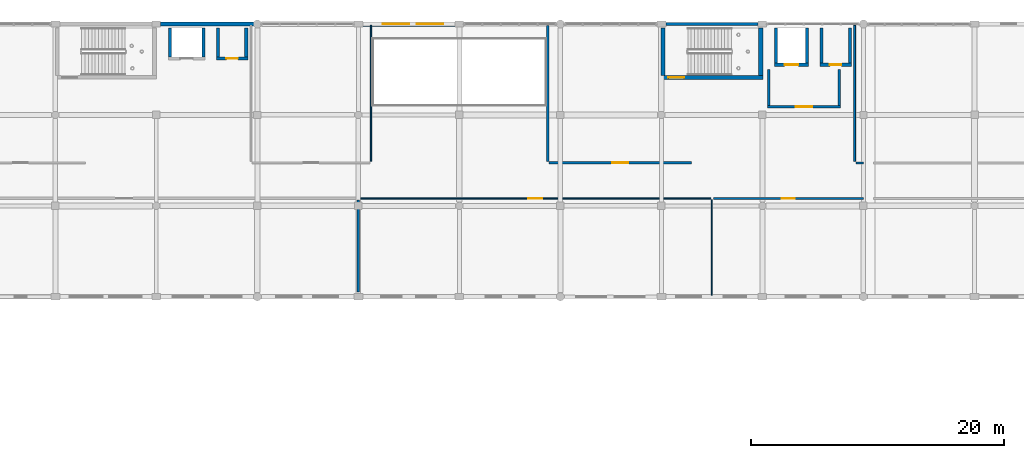
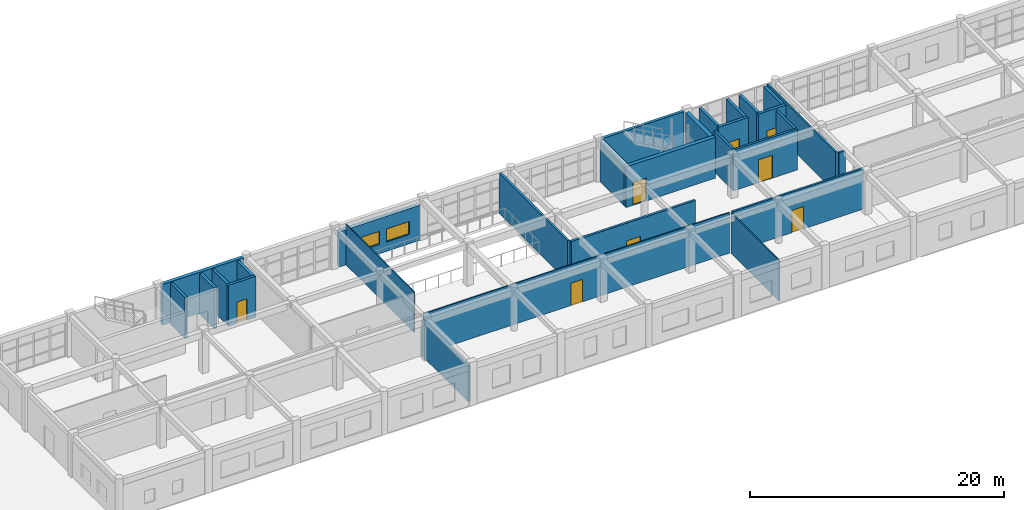
# One storey, part 43 of 53: 29 walls, 8 doors, 2 windows, 10 openings.
"""IFC4 building model written with IfcOpenShell, lengths in metres."""

from ifc_helpers import new_model, si_unit, direction, frame, frame_2d, origin, place, context, subcontext, project, spatial, rectangle, extrude, material, layer, layer_set, type_object, element, fill, save


model = new_model("IFC4")

# Units and contexts
model_context = context("Model", 3, precision=1e-05, world=origin(), true_north=direction((0.0, 1.0)))
body_context = subcontext(model_context, "Body", "Model", "MODEL_VIEW")
ifc_project = project(units=[si_unit("LENGTHUNIT", "METRE"), si_unit("AREAUNIT", "SQUARE_METRE"), si_unit("VOLUMEUNIT", "CUBIC_METRE"), si_unit("PLANEANGLEUNIT", "RADIAN"), si_unit("MASSUNIT", "GRAM", prefix="KILO")], contexts=[model_context])

# Site, building, storey
site_placement = place(None, origin())
site = spatial("IfcSite", under=ifc_project, at=site_placement, CompositionType="ELEMENT")
building_placement = place(site_placement, origin())
building = spatial("IfcBuilding", under=site, at=building_placement, Name="Kharva Crest Polytechnic", CompositionType="ELEMENT")
storey_placement = place(building_placement, frame((0.0, 0.0, 17.39990234375)))
storey = spatial("IfcBuildingStorey", under=building, at=storey_placement, Name="L04", CompositionType="ELEMENT", Elevation=17.39990234375)

# Wall, opening, door
ifc_material_1 = material(Name="Concrete C40/50", Category="concrete")
ifc_layer_1 = layer(ifc_material_1, 0.35009765625, Name="Concrete C40/50")
ifc_layer_set_1 = layer_set([ifc_layer_1], Name="Concrete C40/50")
wall_type_1 = type_object("IfcWallType", Name="WL-CORE-CW1-350", PredefinedType="SHEAR", material=ifc_layer_set_1)
wall_1_placement = place(storey_placement, frame((103.949951171875, 117.764892578125, 0.0), z_axis=(0.0, 0.0, 1.0), x_axis=(1.0, 0.0, 0.0)))
wall_1 = element("IfcWall", 1, at=wall_1_placement, inside=storey, type_object=wall_type_1, Name="L04 North Crest Firefighting Core C4 South Shear Wall", PredefinedType="SHEAR", context=body_context, shape_type="SweptSolid", body=[
    extrude(rectangle(XDim=8.10009765625, YDim=0.35009765625, at=frame_2d((4.050048828125, 0.0))), origin(), (0.0, 0.0, 1.0), 3.920166015625),
])
opening_1_placement = place(wall_1_placement, frame((0.60009765625, 0.0, 0.0)))
opening_1 = element("IfcOpeningElement", 2, at=opening_1_placement, cuts=wall_1, Name="Opening FD1B", PredefinedType="OPENING", context=body_context, shape_type="SweptSolid", body=[
    extrude(rectangle(XDim=1.25, YDim=2.199951171875, at=frame_2d((0.625, 1.10009765625))), frame((0.0, 0.18505859375, 0.0), z_axis=(0.0, -1.0, 0.0), x_axis=(1.0, 0.0, 0.0)), (0.0, 0.0, 1.0), 0.3701171875),
])
ifc_material_2 = material(Name="Teak timber", Category="wood")
door_type_1 = type_object("IfcDoorType", Name="DR-STAIR-1250X2200", OperationType="NOTDEFINED", PredefinedType="DOOR", material=ifc_material_2)
door_1_placement = place(opening_1_placement, origin())
door_1 = element("IfcDoor", 3, at=door_1_placement, inside=storey, type_object=door_type_1, Name="L04 ST-04 Stair Door", OperationType="SINGLE_SWING_LEFT", OverallHeight=2.199951171875, OverallWidth=1.25, PredefinedType="DOOR", context=body_context, shape_type="SweptSolid", body=[
    extrude(rectangle(XDim=1.25, YDim=2.199951171875, at=frame_2d((0.625, 1.10009765625))), frame((0.0, 0.02490234375, 0.0), z_axis=(0.0, -1.0, 0.0), x_axis=(1.0, 0.0, 0.0)), (0.0, 0.0, 1.0), 0.050048828125),
])
fill(opening_1, door_1)

# Walls
for number, where, z_axis, x_axis, name in (
    (4, (104.125, 117.93994140625, 0.0), (0.0, 0.0, 1.0), (0.0, 1.0, 0.0), "L04 North Crest Firefighting Core C4 West Shear Wall"),
    (5, (111.875, 117.93994140625, 0.0), (0.0, 0.0, 1.0), (0.0, 1.0, 0.0), "L04 North Crest Firefighting Core C4 East Shear Wall"),
):
    element("IfcWall", number, at=place(storey_placement, frame(where, z_axis=z_axis, x_axis=x_axis)), inside=storey, type_object=wall_type_1, Name=name, PredefinedType="SHEAR", context=body_context, shape_type="SweptSolid", body=[
        extrude(rectangle(XDim=3.760009765625, YDim=0.35009765625, at=frame_2d((1.8798828125, 0.0))), origin(), (0.0, 0.0, 1.0), 3.920166015625),
    ])
ifc_material_3 = material(Name="Kiln brick masonry", Category="masonry")
ifc_layer_2 = layer(ifc_material_3, 0.260009765625, Name="Kiln brick masonry")
ifc_layer_set_2 = layer_set([ifc_layer_2], Name="Kiln brick masonry")
wall_type_2 = type_object("IfcWallType", Name="WL-EXT-BRK-260", PredefinedType="SOLIDWALL", material=ifc_layer_set_2)
wall_2_placement = place(storey_placement, frame((111.6650390625, 122.0, 0.0), z_axis=(0.0, 0.0, 1.0), x_axis=(-1.0, 0.0, 0.0)))
element("IfcWall", 6, at=wall_2_placement, inside=storey, type_object=wall_type_2, Name="L04 Exterior Brick Wall 387", PredefinedType="SOLIDWALL", context=body_context, shape_type="SweptSolid", body=[
    extrude(rectangle(XDim=7.320068359375, YDim=0.260009765625, at=frame_2d((3.66015625, 0.0))), origin(), (0.0, 0.0, 1.0), 3.920166015625),
])
ifc_layer_3 = layer(ifc_material_3, 0.320068359375, Name="Kiln brick masonry")
ifc_layer_set_3 = layer_set([ifc_layer_3], Name="Kiln brick masonry")
wall_type_3 = type_object("IfcWallType", Name="WL-EXT-BRK-320", PredefinedType="SOLIDWALL", material=ifc_layer_set_3)
wall_3_placement = place(storey_placement, frame((71.731201171875, 122.0, 0.0), z_axis=(0.0, 0.0, 1.0), x_axis=(-1.0, 0.0, 0.0)))
element("IfcWall", 7, at=wall_3_placement, inside=storey, type_object=wall_type_3, Name="L04 Exterior Brick Wall 389", PredefinedType="SOLIDWALL", context=body_context, shape_type="SweptSolid", body=[
    extrude(rectangle(XDim=7.396240234375, YDim=0.320068359375, at=frame_2d((3.6982421875, 0.0))), origin(), (0.0, 0.0, 1.0), 3.920166015625),
])

# Wall, openings, windows
ifc_layer_4 = layer(ifc_material_3, 0.35009765625, Name="Kiln brick masonry")
ifc_layer_set_4 = layer_set([ifc_layer_4], Name="Kiln brick masonry")
wall_type_4 = type_object("IfcWallType", Name="WL-EXT-BRK-350", PredefinedType="SOLIDWALL", material=ifc_layer_set_4)
wall_4_placement = place(storey_placement, frame((87.6650390625, 122.0, 0.0), z_axis=(0.0, 0.0, 1.0), x_axis=(-1.0, 0.0, 0.0)))
wall_4 = element("IfcWall", 8, at=wall_4_placement, inside=storey, type_object=wall_type_4, Name="L04 Exterior Brick Wall 388", PredefinedType="SOLIDWALL", context=body_context, shape_type="SweptSolid", body=[
    extrude(rectangle(XDim=7.320068359375, YDim=0.35009765625, at=frame_2d((3.66015625, 0.0))), origin(), (0.0, 0.0, 1.0), 3.3701171875),
])
opening_2_placement = place(wall_4_placement, frame((0.927978515625, 0.0, 0.89990234375)))
opening_2 = element("IfcOpeningElement", 9, at=opening_2_placement, cuts=wall_4, Name="Opening W18", PredefinedType="OPENING", context=body_context, shape_type="SweptSolid", body=[
    extrude(rectangle(XDim=2.10009765625, YDim=1.25, at=frame_2d((1.050048828125, 0.625))), frame((0.0, 0.18505859375, 0.0), z_axis=(0.0, -1.0, 0.0), x_axis=(1.0, 0.0, 0.0)), (0.0, 0.0, 1.0), 0.3701171875),
])
opening_3_placement = place(wall_4_placement, frame((3.636962890625, 0.0, 0.89990234375)))
opening_3 = element("IfcOpeningElement", 10, at=opening_3_placement, cuts=wall_4, Name="Opening W18", PredefinedType="OPENING", context=body_context, shape_type="SweptSolid", body=[
    extrude(rectangle(XDim=2.10009765625, YDim=1.25, at=frame_2d((1.050048828125, 0.625))), frame((0.0, 0.18505859375, 0.0), z_axis=(0.0, -1.0, 0.0), x_axis=(1.0, 0.0, 0.0)), (0.0, 0.0, 1.0), 0.3701171875),
])
ifc_material_4 = material(Name="Anodised aluminium", Category="aluminium")
window_type = type_object("IfcWindowType", Name="WIN-ALU-2100X1250", PartitioningType="SINGLE_PANEL", PredefinedType="WINDOW", material=ifc_material_4)
window_1_placement = place(opening_2_placement, origin())
window_1 = element("IfcWindow", 11, at=window_1_placement, inside=storey, type_object=window_type, Name="L04 Exterior Window 541", OverallHeight=1.25, OverallWidth=2.10009765625, PartitioningType="SINGLE_PANEL", PredefinedType="WINDOW", context=body_context, shape_type="SweptSolid", body=[
    extrude(rectangle(XDim=2.10009765625, YDim=1.25, at=frame_2d((1.050048828125, 0.625))), frame((0.0, 0.030029296875, 0.0), z_axis=(0.0, -1.0, 0.0), x_axis=(1.0, 0.0, 0.0)), (0.0, 0.0, 1.0), 0.06005859375),
])
fill(opening_2, window_1)
window_2_placement = place(opening_3_placement, origin())
window_2 = element("IfcWindow", 12, at=window_2_placement, inside=storey, type_object=window_type, Name="L04 Exterior Window 542", OverallHeight=1.25, OverallWidth=2.10009765625, PartitioningType="SINGLE_PANEL", PredefinedType="WINDOW", context=body_context, shape_type="SweptSolid", body=[
    extrude(rectangle(XDim=2.10009765625, YDim=1.25, at=frame_2d((1.050048828125, 0.625))), frame((0.0, 0.030029296875, 0.0), z_axis=(0.0, -1.0, 0.0), x_axis=(1.0, 0.0, 0.0)), (0.0, 0.0, 1.0), 0.06005859375),
])
fill(opening_3, window_2)

# Wall, opening, door
ifc_layer_5 = layer(ifc_material_3, 0.199951171875, Name="Kiln brick masonry")
ifc_layer_set_5 = layer_set([ifc_layer_5], Name="Kiln brick masonry")
wall_type_5 = type_object("IfcWallType", Name="WL-FIRE-FW1-200", PredefinedType="SOLIDWALL", material=ifc_layer_set_5)
wall_5_placement = place(storey_placement, frame((112.39990234375, 115.449951171875, 0.0), z_axis=(0.0, 0.0, 1.0), x_axis=(1.0, 0.0, 0.0)))
wall_5 = element("IfcWall", 13, at=wall_5_placement, inside=storey, type_object=wall_type_5, Name="L04 Firefighting Lobby FL1 South Wall", PredefinedType="SOLIDWALL", context=body_context, shape_type="SweptSolid", body=[
    extrude(rectangle(XDim=5.800048828125, YDim=0.199951171875, at=frame_2d((2.89990234375, 0.0))), origin(), (0.0, 0.0, 1.0), 3.920166015625),
])
opening_4_placement = place(wall_5_placement, frame((2.25, 0.0, 0.0)))
opening_4 = element("IfcOpeningElement", 14, at=opening_4_placement, cuts=wall_5, Name="Opening FD2", PredefinedType="OPENING", context=body_context, shape_type="SweptSolid", body=[
    extrude(rectangle(XDim=1.300048828125, YDim=2.199951171875, at=frame_2d((0.64990234375, 1.10009765625))), frame((0.0, 0.10986328125, 0.0), z_axis=(0.0, -1.0, 0.0), x_axis=(1.0, 0.0, 0.0)), (0.0, 0.0, 1.0), 0.219970703125),
])
door_type_2 = type_object("IfcDoorType", Name="DR-FFLOB-1300X2200", OperationType="NOTDEFINED", PredefinedType="DOOR", material=ifc_material_2)
door_2_placement = place(opening_4_placement, origin())
door_2 = element("IfcDoor", 15, at=door_2_placement, inside=storey, type_object=door_type_2, Name="L04 Firefighting Lobby FL1 Smoke Door", OperationType="SINGLE_SWING_RIGHT", OverallHeight=2.199951171875, OverallWidth=1.300048828125, PredefinedType="DOOR", context=body_context, shape_type="SweptSolid", body=[
    extrude(rectangle(XDim=1.300048828125, YDim=2.199951171875, at=frame_2d((0.64990234375, 1.10009765625))), frame((0.0, 0.02490234375, 0.0), z_axis=(0.0, -1.0, 0.0), x_axis=(1.0, 0.0, 0.0)), (0.0, 0.0, 1.0), 0.050048828125),
])
fill(opening_4, door_2)

# Walls
for number, where, z_axis, x_axis, name in (
    (16, (112.5, 115.550048828125, 0.0), (0.0, 0.0, 1.0), (0.0, 1.0, 0.0), "L04 Firefighting Lobby FL1 West Wall"),
    (17, (118.10009765625, 115.550048828125, 0.0), (0.0, 0.0, 1.0), (0.0, 1.0, 0.0), "L04 Firefighting Lobby FL1 East Wall"),
):
    element("IfcWall", number, at=place(storey_placement, frame(where, z_axis=z_axis, x_axis=x_axis)), inside=storey, type_object=wall_type_5, Name=name, PredefinedType="SOLIDWALL", context=body_context, shape_type="SweptSolid", body=[
        extrude(rectangle(XDim=2.849853515625, YDim=0.199951171875, at=frame_2d((1.4248046875, 0.0))), origin(), (0.0, 0.0, 1.0), 3.920166015625),
    ])
ifc_layer_6 = layer(ifc_material_3, 0.090087890625, Name="Kiln brick masonry")
ifc_layer_set_6 = layer_set([ifc_layer_6], Name="Kiln brick masonry")
wall_type_6 = type_object("IfcWallType", Name="WL-PART-090", PredefinedType="PARTITIONING", material=ifc_layer_set_6)
wall_6_placement = place(storey_placement, frame((108.0, 100.510009765625, 0.0), z_axis=(0.0, 0.0, 1.0), x_axis=(0.0, 1.0, 0.0)))
element("IfcWall", 18, at=wall_6_placement, inside=storey, type_object=wall_type_6, Name="L04 Interior Partition 339", PredefinedType="PARTITIONING", context=body_context, shape_type="SweptSolid", body=[
    extrude(rectangle(XDim=7.570068359375, YDim=0.090087890625, at=frame_2d((3.78515625, 0.0))), origin(), (0.0, 0.0, 1.0), 3.900146484375),
])
wall_7_placement = place(storey_placement, frame((81.0, 111.1201171875, 0.0), z_axis=(0.0, 0.0, 1.0), x_axis=(0.0, 1.0, 0.0)))
element("IfcWall", 19, at=wall_7_placement, inside=storey, type_object=wall_type_6, Name="L04 Interior Partition 349", PredefinedType="PARTITIONING", context=body_context, shape_type="SweptSolid", body=[
    extrude(rectangle(XDim=10.769775390625, YDim=0.090087890625, at=frame_2d((5.384765625, 0.0))), origin(), (0.0, 0.0, 1.0), 3.900146484375),
])

# Wall, opening, door
ifc_layer_7 = layer(ifc_material_3, 0.10009765625, Name="Kiln brick masonry")
ifc_layer_set_7 = layer_set([ifc_layer_7], Name="Kiln brick masonry")
wall_type_7 = type_object("IfcWallType", Name="WL-PART-100", PredefinedType="PARTITIONING", material=ifc_layer_set_7)
wall_8_placement = place(storey_placement, frame((80.1201171875, 108.18994140625, 0.0), z_axis=(0.0, 0.0, 1.0), x_axis=(1.0, 0.0, 0.0)))
wall_8 = element("IfcWall", 20, at=wall_8_placement, inside=storey, type_object=wall_type_7, Name="L04 Interior Partition 338", PredefinedType="PARTITIONING", context=body_context, shape_type="SweptSolid", body=[
    extrude(rectangle(XDim=27.769775390625, YDim=0.10009765625, at=frame_2d((13.884765625, 0.0))), origin(), (0.0, 0.0, 1.0), 3.900146484375),
])
opening_5_placement = place(wall_8_placement, frame((13.344970703125, 0.0, 0.0)))
opening_5 = element("IfcOpeningElement", 21, at=opening_5_placement, cuts=wall_8, Name="Opening ID10", PredefinedType="OPENING", context=body_context, shape_type="SweptSolid", body=[
    extrude(rectangle(XDim=1.080078125, YDim=2.14990234375, at=frame_2d((0.5400390625, 1.074951171875))), frame((0.0, 0.06005859375, 0.0), z_axis=(0.0, -1.0, 0.0), x_axis=(1.0, 0.0, 0.0)), (0.0, 0.0, 1.0), 0.1201171875),
])
door_type_3 = type_object("IfcDoorType", Name="DR-CLS-1080X2150", OperationType="NOTDEFINED", PredefinedType="DOOR", material=ifc_material_2)
door_3_placement = place(opening_5_placement, origin())
door_3 = element("IfcDoor", 22, at=door_3_placement, inside=storey, type_object=door_type_3, Name="L04 Critique Seminar Room L04-1 Door", OperationType="SINGLE_SWING_RIGHT", OverallHeight=2.14990234375, OverallWidth=1.080078125, PredefinedType="DOOR", context=body_context, shape_type="SweptSolid", body=[
    extrude(rectangle(XDim=1.080078125, YDim=2.14990234375, at=frame_2d((0.5400390625, 1.074951171875))), frame((0.0, 0.02490234375, 0.0), z_axis=(0.0, -1.0, 0.0), x_axis=(1.0, 0.0, 0.0)), (0.0, 0.0, 1.0), 0.050048828125),
])
fill(opening_5, door_3)

# Walls
ifc_layer_8 = layer(ifc_material_3, 0.14990234375, Name="Kiln brick masonry")
ifc_layer_set_8 = layer_set([ifc_layer_8], Name="Kiln brick masonry")
wall_type_8 = type_object("IfcWallType", Name="WL-PART-150", PredefinedType="PARTITIONING", material=ifc_layer_set_8)
wall_9_placement = place(storey_placement, frame((119.300048828125, 111.1201171875, 0.0), z_axis=(0.0, 0.0, 1.0), x_axis=(0.0, 1.0, 0.0)))
element("IfcWall", 23, at=wall_9_placement, inside=storey, type_object=wall_type_8, Name="L04 Interior Partition 353", PredefinedType="PARTITIONING", context=body_context, shape_type="SweptSolid", body=[
    extrude(rectangle(XDim=10.769775390625, YDim=0.14990234375, at=frame_2d((5.384765625, 0.0))), origin(), (0.0, 0.0, 1.0), 3.900146484375),
])
ifc_layer_9 = layer(ifc_material_3, 0.159912109375, Name="Kiln brick masonry")
ifc_layer_set_9 = layer_set([ifc_layer_9], Name="Kiln brick masonry")
wall_type_9 = type_object("IfcWallType", Name="WL-PART-160", PredefinedType="PARTITIONING", material=ifc_layer_set_9)
wall_10_placement = place(storey_placement, frame((119.409912109375, 111.010009765625, 0.0), z_axis=(0.0, 0.0, 1.0), x_axis=(1.0, 0.0, 0.0)))
element("IfcWall", 24, at=wall_10_placement, inside=storey, type_object=wall_type_9, Name="L04 Interior Partition 352 W", PredefinedType="PARTITIONING", context=body_context, shape_type="SweptSolid", body=[
    extrude(rectangle(XDim=0.590087890625, YDim=0.159912109375, at=frame_2d((0.294921875, 0.0))), origin(), (0.0, 0.0, 1.0), 3.900146484375),
])

# Wall, opening, door
ifc_layer_10 = layer(ifc_material_3, 0.179931640625, Name="Kiln brick masonry")
ifc_layer_set_10 = layer_set([ifc_layer_10], Name="Kiln brick masonry")
wall_type_10 = type_object("IfcWallType", Name="WL-PART-180", PredefinedType="PARTITIONING", material=ifc_layer_set_10)
wall_11_placement = place(storey_placement, frame((108.1201171875, 108.18994140625, 0.0), z_axis=(0.0, 0.0, 1.0), x_axis=(1.0, 0.0, 0.0)))
wall_11 = element("IfcWall", 25, at=wall_11_placement, inside=storey, type_object=wall_type_10, Name="L04 Interior Partition 340 W", PredefinedType="PARTITIONING", context=body_context, shape_type="SweptSolid", body=[
    extrude(rectangle(XDim=11.8798828125, YDim=0.179931640625, at=frame_2d((5.93994140625, 0.0))), origin(), (0.0, 0.0, 1.0), 3.900146484375),
])
opening_6_placement = place(wall_11_placement, frame((5.419921875, 0.0, 0.0)))
opening_6 = element("IfcOpeningElement", 26, at=opening_6_placement, cuts=wall_11, Name="Opening ID11", PredefinedType="OPENING", context=body_context, shape_type="SweptSolid", body=[
    extrude(rectangle(XDim=1.0400390625, YDim=2.14990234375, at=frame_2d((0.52001953125, 1.074951171875))), frame((0.0, 0.099853515625, 0.0), z_axis=(0.0, -1.0, 0.0), x_axis=(1.0, 0.0, 0.0)), (0.0, 0.0, 1.0), 0.199951171875),
])
door_type_4 = type_object("IfcDoorType", Name="DR-CLS-1040X2150", OperationType="NOTDEFINED", PredefinedType="DOOR", material=ifc_material_2)
door_4_placement = place(opening_6_placement, origin())
door_4 = element("IfcDoor", 27, at=door_4_placement, inside=storey, type_object=door_type_4, Name="L04 Critique Seminar Room L04-2 Door", OperationType="SINGLE_SWING_LEFT", OverallHeight=2.14990234375, OverallWidth=1.0400390625, PredefinedType="DOOR", context=body_context, shape_type="SweptSolid", body=[
    extrude(rectangle(XDim=1.0400390625, YDim=2.14990234375, at=frame_2d((0.52001953125, 1.074951171875))), frame((0.0, 0.02490234375, 0.0), z_axis=(0.0, -1.0, 0.0), x_axis=(1.0, 0.0, 0.0)), (0.0, 0.0, 1.0), 0.050048828125),
])
fill(opening_6, door_4)

# Wall
ifc_layer_11 = layer(ifc_material_3, 0.18994140625, Name="Kiln brick masonry")
ifc_layer_set_11 = layer_set([ifc_layer_11], Name="Kiln brick masonry")
wall_type_11 = type_object("IfcWallType", Name="WL-PART-190", PredefinedType="PARTITIONING", material=ifc_layer_set_11)
wall_12_placement = place(storey_placement, frame((95.0, 111.1201171875, 0.0), z_axis=(0.0, 0.0, 1.0), x_axis=(0.0, 1.0, 0.0)))
element("IfcWall", 28, at=wall_12_placement, inside=storey, type_object=wall_type_11, Name="L04 Interior Partition 351", PredefinedType="PARTITIONING", context=body_context, shape_type="SweptSolid", body=[
    extrude(rectangle(XDim=10.769775390625, YDim=0.18994140625, at=frame_2d((5.384765625, 0.0))), origin(), (0.0, 0.0, 1.0), 3.900146484375),
])

# Wall, opening, door
ifc_layer_12 = layer(ifc_material_3, 0.205078125, Name="Kiln brick masonry")
ifc_layer_set_12 = layer_set([ifc_layer_12], Name="Kiln brick masonry")
wall_type_12 = type_object("IfcWallType", Name="WL-PART-205", PredefinedType="PARTITIONING", material=ifc_layer_set_12)
wall_13_placement = place(storey_placement, frame((95.110107421875, 111.010009765625, 0.0), z_axis=(0.0, 0.0, 1.0), x_axis=(1.0, 0.0, 0.0)))
wall_13 = element("IfcWall", 29, at=wall_13_placement, inside=storey, type_object=wall_type_12, Name="L04 Interior Partition 350", PredefinedType="PARTITIONING", context=body_context, shape_type="SweptSolid", body=[
    extrude(rectangle(XDim=11.269775390625, YDim=0.205078125, at=frame_2d((5.634765625, 0.0))), origin(), (0.0, 0.0, 1.0), 3.900146484375),
])
opening_7_placement = place(wall_13_placement, frame((4.9951171875, 0.0, 0.0)))
opening_7 = element("IfcOpeningElement", 30, at=opening_7_placement, cuts=wall_13, Name="Opening ID7", PredefinedType="OPENING", context=body_context, shape_type="SweptSolid", body=[
    extrude(rectangle(XDim=1.280029296875, YDim=2.199951171875, at=frame_2d((0.64013671875, 1.10009765625))), frame((0.0, 0.112548828125, 0.0), z_axis=(0.0, -1.0, 0.0), x_axis=(1.0, 0.0, 0.0)), (0.0, 0.0, 1.0), 0.22509765625),
])
door_type_5 = type_object("IfcDoorType", Name="DR-LAB-1280X2200", OperationType="NOTDEFINED", PredefinedType="DOOR", material=ifc_material_2)
door_5_placement = place(opening_7_placement, origin())
door_5 = element("IfcDoor", 31, at=door_5_placement, inside=storey, type_object=door_type_5, Name="L04 CAD and Parametric Modelling Laboratory Door", OperationType="SINGLE_SWING_LEFT", OverallHeight=2.199951171875, OverallWidth=1.280029296875, PredefinedType="DOOR", context=body_context, shape_type="SweptSolid", body=[
    extrude(rectangle(XDim=1.280029296875, YDim=2.199951171875, at=frame_2d((0.64013671875, 1.10009765625))), frame((0.0, 0.02490234375, 0.0), z_axis=(0.0, -1.0, 0.0), x_axis=(1.0, 0.0, 0.0)), (0.0, 0.0, 1.0), 0.050048828125),
])
fill(opening_7, door_5)

# Walls
ifc_layer_13 = layer(ifc_material_3, 0.215087890625, Name="Kiln brick masonry")
ifc_layer_set_13 = layer_set([ifc_layer_13], Name="Kiln brick masonry")
wall_type_13 = type_object("IfcWallType", Name="WL-PART-215", PredefinedType="PARTITIONING", material=ifc_layer_set_13)
wall_14_placement = place(storey_placement, frame((80.0, 100.780029296875, 0.0), z_axis=(0.0, 0.0, 1.0), x_axis=(0.0, 1.0, 0.0)))
element("IfcWall", 32, at=wall_14_placement, inside=storey, type_object=wall_type_13, Name="L04 Interior Partition 337", PredefinedType="PARTITIONING", context=body_context, shape_type="SweptSolid", body=[
    extrude(rectangle(XDim=7.300048828125, YDim=0.215087890625, at=frame_2d((3.64990234375, 0.0))), origin(), (0.0, 0.0, 1.0), 3.39013671875),
])
ifc_layer_14 = layer(ifc_material_1, 0.25, Name="Concrete C40/50")
ifc_layer_set_14 = layer_set([ifc_layer_14], Name="Concrete C40/50")
wall_type_14 = type_object("IfcWallType", Name="WL-SHEAR-SW1-250", PredefinedType="SHEAR", material=ifc_layer_set_14)
for number, where, z_axis, x_axis, name in (
    (33, (65.074951171875, 119.39990234375, 0.0), (0.0, 0.0, 1.0), (0.0, 1.0, 0.0), "L04 Lift PL3 West Shaft Wall"),
    (34, (67.72509765625, 119.39990234375, 0.0), (0.0, 0.0, 1.0), (0.0, 1.0, 0.0), "L04 Lift PL3 East Shaft Wall"),
):
    element("IfcWall", number, at=place(storey_placement, frame(where, z_axis=z_axis, x_axis=x_axis)), inside=storey, type_object=wall_type_14, Name=name, PredefinedType="SHEAR", context=body_context, shape_type="SweptSolid", body=[
        extrude(rectangle(XDim=2.300048828125, YDim=0.25, at=frame_2d((1.14990234375, 0.0))), origin(), (0.0, 0.0, 1.0), 3.920166015625),
    ])

# Wall, opening, door
wall_15_placement = place(storey_placement, frame((68.75, 119.27490234375, 0.0), z_axis=(0.0, 0.0, 1.0), x_axis=(1.0, 0.0, 0.0)))
wall_15 = element("IfcWall", 35, at=wall_15_placement, inside=storey, type_object=wall_type_14, Name="L04 Core C3 Riser South Wall", PredefinedType="SHEAR", context=body_context, shape_type="SweptSolid", body=[
    extrude(rectangle(XDim=2.5, YDim=0.25, at=frame_2d((1.25, 0.0))), origin(), (0.0, 0.0, 1.0), 3.920166015625),
])
opening_8_placement = place(wall_15_placement, frame((0.800048828125, 0.0, 0.0)))
opening_8 = element("IfcOpeningElement", 36, at=opening_8_placement, cuts=wall_15, Name="Opening FD3", PredefinedType="OPENING", context=body_context, shape_type="SweptSolid", body=[
    extrude(rectangle(XDim=0.89990234375, YDim=2.050048828125, at=frame_2d((0.449951171875, 1.02490234375))), frame((0.0, 0.135009765625, 0.0), z_axis=(0.0, -1.0, 0.0), x_axis=(1.0, 0.0, 0.0)), (0.0, 0.0, 1.0), 0.27001953125),
])
door_type_6 = type_object("IfcDoorType", Name="DR-RISER-900X2050", OperationType="NOTDEFINED", PredefinedType="DOOR", material=ifc_material_4)
door_6_placement = place(opening_8_placement, origin())
door_6 = element("IfcDoor", 37, at=door_6_placement, inside=storey, type_object=door_type_6, Name="L04 Core C3 Riser Access Door", OperationType="SINGLE_SWING_RIGHT", OverallHeight=2.050048828125, OverallWidth=0.89990234375, PredefinedType="DOOR", context=body_context, shape_type="SweptSolid", body=[
    extrude(rectangle(XDim=0.89990234375, YDim=2.050048828125, at=frame_2d((0.449951171875, 1.02490234375))), frame((0.0, 0.02490234375, 0.0), z_axis=(0.0, -1.0, 0.0), x_axis=(1.0, 0.0, 0.0)), (0.0, 0.0, 1.0), 0.050048828125),
])
fill(opening_8, door_6)

# Walls
for number, where, z_axis, x_axis, name in (
    (38, (68.875, 119.39990234375, 0.0), (0.0, 0.0, 1.0), (0.0, 1.0, 0.0), "L04 Core C3 Riser West Wall"),
    (39, (71.125, 119.39990234375, 0.0), (0.0, 0.0, 1.0), (0.0, 1.0, 0.0), "L04 Core C3 Riser East Wall"),
):
    element("IfcWall", number, at=place(storey_placement, frame(where, z_axis=z_axis, x_axis=x_axis)), inside=storey, type_object=wall_type_14, Name=name, PredefinedType="SHEAR", context=body_context, shape_type="SweptSolid", body=[
        extrude(rectangle(XDim=2.300048828125, YDim=0.25, at=frame_2d((1.14990234375, 0.0))), origin(), (0.0, 0.0, 1.0), 3.920166015625),
    ])

# Wall, opening, door
wall_16_placement = place(storey_placement, frame((112.949951171875, 118.77490234375, 0.0), z_axis=(0.0, 0.0, 1.0), x_axis=(1.0, 0.0, 0.0)))
wall_16 = element("IfcWall", 40, at=wall_16_placement, inside=storey, type_object=wall_type_14, Name="L04 Lift FL1 South Shaft Wall", PredefinedType="SHEAR", context=body_context, shape_type="SweptSolid", body=[
    extrude(rectangle(XDim=2.699951171875, YDim=0.25, at=frame_2d((1.35009765625, 0.0))), origin(), (0.0, 0.0, 1.0), 3.920166015625),
])
opening_9_placement = place(wall_16_placement, frame((0.800048828125, 0.0, 0.0)))
opening_9 = element("IfcOpeningElement", 41, at=opening_9_placement, cuts=wall_16, Name="Opening LD1", PredefinedType="OPENING", context=body_context, shape_type="SweptSolid", body=[
    extrude(rectangle(XDim=1.10009765625, YDim=2.14990234375, at=frame_2d((0.550048828125, 1.074951171875))), frame((0.0, 0.135009765625, 0.0), z_axis=(0.0, -1.0, 0.0), x_axis=(1.0, 0.0, 0.0)), (0.0, 0.0, 1.0), 0.27001953125),
])
door_type_7 = type_object("IfcDoorType", Name="DR-LIFT-LD1-1100X2150", OperationType="SLIDING_TO_LEFT", PredefinedType="DOOR", material=ifc_material_4)
door_7_placement = place(opening_9_placement, origin())
door_7 = element("IfcDoor", 42, at=door_7_placement, inside=storey, type_object=door_type_7, Name="L04 Lift FL1 Sliding Landing Door", OperationType="SLIDING_TO_LEFT", OverallHeight=2.14990234375, OverallWidth=1.10009765625, PredefinedType="DOOR", context=body_context, shape_type="SweptSolid", body=[
    extrude(rectangle(XDim=1.10009765625, YDim=2.14990234375, at=frame_2d((0.550048828125, 1.074951171875))), frame((0.0, 0.02490234375, 0.0), z_axis=(0.0, -1.0, 0.0), x_axis=(1.0, 0.0, 0.0)), (0.0, 0.0, 1.0), 0.050048828125),
])
fill(opening_9, door_7)

# Walls
for number, where, z_axis, x_axis, name in (
    (43, (113.074951171875, 118.89990234375, 0.0), (0.0, 0.0, 1.0), (0.0, 1.0, 0.0), "L04 Lift FL1 West Shaft Wall"),
    (44, (115.52490234375, 118.89990234375, 0.0), (0.0, 0.0, 1.0), (0.0, 1.0, 0.0), "L04 Lift FL1 East Shaft Wall"),
):
    element("IfcWall", number, at=place(storey_placement, frame(where, z_axis=z_axis, x_axis=x_axis)), inside=storey, type_object=wall_type_14, Name=name, PredefinedType="SHEAR", context=body_context, shape_type="SweptSolid", body=[
        extrude(rectangle(XDim=2.800048828125, YDim=0.25, at=frame_2d((1.39990234375, 0.0))), origin(), (0.0, 0.0, 1.0), 3.920166015625),
    ])

# Wall, opening, door
wall_17_placement = place(storey_placement, frame((116.550048828125, 118.77490234375, 0.0), z_axis=(0.0, 0.0, 1.0), x_axis=(1.0, 0.0, 0.0)))
wall_17 = element("IfcWall", 45, at=wall_17_placement, inside=storey, type_object=wall_type_14, Name="L04 Core C4 Riser South Wall", PredefinedType="SHEAR", context=body_context, shape_type="SweptSolid", body=[
    extrude(rectangle(XDim=2.5, YDim=0.25, at=frame_2d((1.25, 0.0))), origin(), (0.0, 0.0, 1.0), 3.920166015625),
])
opening_10_placement = place(wall_17_placement, frame((0.800048828125, 0.0, 0.0)))
opening_10 = element("IfcOpeningElement", 46, at=opening_10_placement, cuts=wall_17, Name="Opening FD3", PredefinedType="OPENING", context=body_context, shape_type="SweptSolid", body=[
    extrude(rectangle(XDim=0.89990234375, YDim=2.050048828125, at=frame_2d((0.449951171875, 1.02490234375))), frame((0.0, 0.135009765625, 0.0), z_axis=(0.0, -1.0, 0.0), x_axis=(1.0, 0.0, 0.0)), (0.0, 0.0, 1.0), 0.27001953125),
])
door_8_placement = place(opening_10_placement, origin())
door_8 = element("IfcDoor", 47, at=door_8_placement, inside=storey, type_object=door_type_6, Name="L04 Core C4 Riser Access Door", OperationType="SINGLE_SWING_LEFT", OverallHeight=2.050048828125, OverallWidth=0.89990234375, PredefinedType="DOOR", context=body_context, shape_type="SweptSolid", body=[
    extrude(rectangle(XDim=0.89990234375, YDim=2.050048828125, at=frame_2d((0.449951171875, 1.02490234375))), frame((0.0, 0.02490234375, 0.0), z_axis=(0.0, -1.0, 0.0), x_axis=(1.0, 0.0, 0.0)), (0.0, 0.0, 1.0), 0.050048828125),
])
fill(opening_10, door_8)

# Walls
for number, where, z_axis, x_axis, name in (
    (48, (116.675048828125, 118.89990234375, 0.0), (0.0, 0.0, 1.0), (0.0, 1.0, 0.0), "L04 Core C4 Riser West Wall"),
    (49, (118.925048828125, 118.89990234375, 0.0), (0.0, 0.0, 1.0), (0.0, 1.0, 0.0), "L04 Core C4 Riser East Wall"),
):
    element("IfcWall", number, at=place(storey_placement, frame(where, z_axis=z_axis, x_axis=x_axis)), inside=storey, type_object=wall_type_14, Name=name, PredefinedType="SHEAR", context=body_context, shape_type="SweptSolid", body=[
        extrude(rectangle(XDim=2.800048828125, YDim=0.25, at=frame_2d((1.39990234375, 0.0))), origin(), (0.0, 0.0, 1.0), 3.920166015625),
    ])

save(model, "model.ifc")
